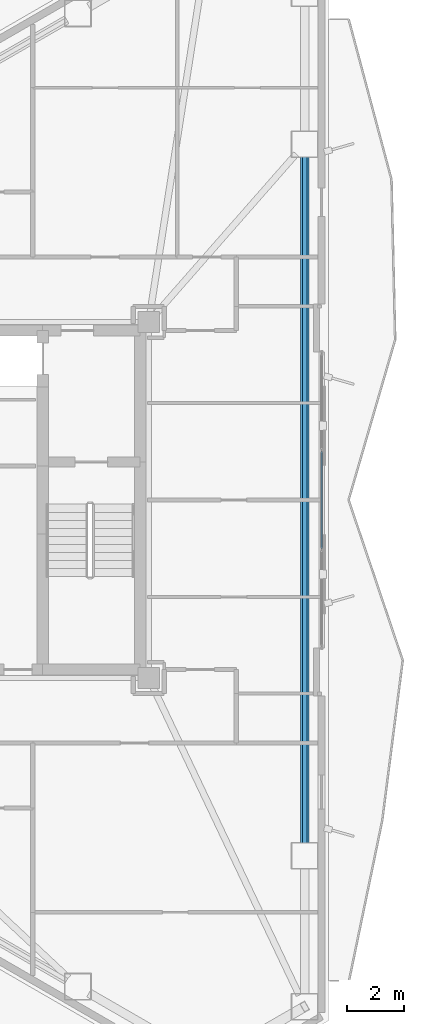
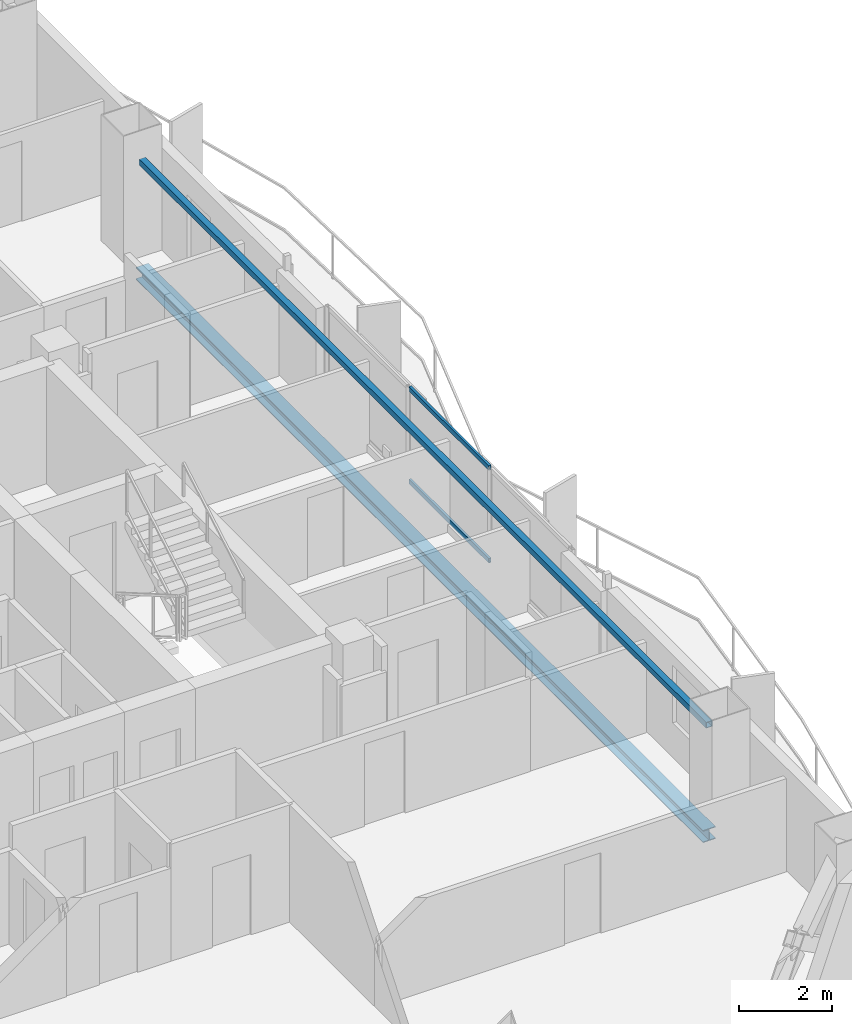
# One storey, part 8 of 18: 2 beams, 2 members, 1 element without a shape of its own.
"""IFC4 building model written with IfcOpenShell, lengths in metres."""

from ifc_helpers import new_model, si_unit, direction, frame, origin, origin_2d, place, context, subcontext, project, spatial, hollow_rectangle, i_section, extrude, material, layer, layer_set, material_profile, profile_set, type_object, element, aggregate, save


model = new_model("IFC4")

# Units and contexts
model_context = context("Model", 3, precision=1e-05, world=origin(), true_north=direction((0.0, 1.0)))
body_context = subcontext(model_context, "Body", "Model", "MODEL_VIEW")
ifc_project = project(units=[si_unit("LENGTHUNIT", "METRE"), si_unit("AREAUNIT", "SQUARE_METRE"), si_unit("VOLUMEUNIT", "CUBIC_METRE"), si_unit("PLANEANGLEUNIT", "RADIAN"), si_unit("MASSUNIT", "GRAM", prefix="KILO")], contexts=[model_context])

# Site, building, storey
site_placement = place(None, origin())
site = spatial("IfcSite", under=ifc_project, at=site_placement, CompositionType="ELEMENT")
building_placement = place(site_placement, origin())
building = spatial("IfcBuilding", under=site, at=building_placement, Name="Mersakhor Tower and Convention Hall", CompositionType="ELEMENT")
storey_placement = place(building_placement, frame((0.0, 0.0, 154.199951171875)))
storey = spatial("IfcBuildingStorey", under=building, at=storey_placement, Name="L43", CompositionType="ELEMENT", Elevation=154.199951171875)

# Beams
ifc_material_1 = material(Name="Steel S355", Category="steel")
ifc_material_profile_1 = material_profile(ifc_material_1, hollow_rectangle(XDim=0.14990234375, YDim=0.14990234375, WallThickness=0.010009765625, at=origin_2d()), Name="SHS 150x150x10")
ifc_profile_set_1 = profile_set([ifc_material_profile_1], Name="Steel S355")
beam_type_1 = type_object("IfcBeamType", Name="BM-GRT-SHS150", PredefinedType="USERDEFINED", material=ifc_profile_set_1)
beam_1_placement = place(storey_placement, frame((41.619140625, 38.8837890625, 2.47998046875), z_axis=(0.0, -1.0, 0.0), x_axis=(1.0, 0.0, 0.0)))
element("IfcBeam", 1, at=beam_1_placement, inside=storey, type_object=beam_type_1, Name="L43 Facade Support Girt GRT-F2", ObjectType="GIRT", PredefinedType="USERDEFINED", context=body_context, shape_type="SweptSolid", body=[
    extrude(hollow_rectangle(XDim=0.14990234375, YDim=0.14990234375, WallThickness=0.010009765625, at=origin_2d()), origin(), (0.0, 0.0, 1.0), 24.267578125),
])
ifc_material_2 = material(Name="Steel S355", Category="steel")
ifc_material_profile_2 = material_profile(ifc_material_2, i_section(OverallWidth=0.30908203125, OverallDepth=0.320556640625, WebThickness=0.013916015625, FlangeThickness=0.021728515625, at=origin_2d()), Name="UC 305x305x137")
ifc_profile_set_2 = profile_set([ifc_material_profile_2], Name="Steel S355")
beam_type_2 = type_object("IfcBeamType", Name="BM-SPD-UC305", PredefinedType="SPANDREL", material=ifc_profile_set_2)
beam_2_placement = place(storey_placement, frame((41.619140625, 38.8837890625, -0.400146484375), z_axis=(0.0, -1.0, 0.0), x_axis=(1.0, 0.0, 0.0)))
element("IfcBeam", 2, at=beam_2_placement, inside=storey, type_object=beam_type_2, Name="L43 Perimeter Spandrel Beam SPB-06", PredefinedType="SPANDREL", context=body_context, shape_type="SweptSolid", body=[
    extrude(i_section(OverallWidth=0.30908203125, OverallDepth=0.320556640625, WebThickness=0.013916015625, FlangeThickness=0.021728515625, at=origin_2d()), origin(), (0.0, 0.0, 1.0), 24.267578125),
])

# Curtain wall, members
ifc_material_3 = material(Name="Dark solar low-E aluminium curtain wall", Category="aluminium")
ifc_layer = layer(ifc_material_3, 0.169921875)
ifc_layer_set = layer_set([ifc_layer], Name="Dark solar low-E aluminium curtain wall")
curtain_wall_type = type_object("IfcCurtainWallType", Name="CW-SYS-02", PredefinedType="USERDEFINED", material=ifc_layer_set)
curtain_wall_placement = place(storey_placement, origin())
curtain_wall = element("IfcCurtainWall", 3, at=curtain_wall_placement, inside=storey, type_object=curtain_wall_type, Name="L43 Dark-Glass Curtain Wall F2-B2", ObjectType="CURTAIN WALL", PredefinedType="USERDEFINED")
ifc_material_4 = material(Name="Anodised aluminium EN AW-6063 T6", Category="aluminium")
ifc_material_profile_3 = material_profile(ifc_material_4, hollow_rectangle(XDim=0.06005859375, YDim=0.1201171875, WallThickness=0.0048828125, at=origin_2d()), Name="RHS 120x60x5")
ifc_profile_set_3 = profile_set([ifc_material_profile_3], Name="Anodised aluminium EN AW-6063 T6")
member_type = type_object("IfcMemberType", Name="CWT-120x60", PredefinedType="USERDEFINED", material=ifc_profile_set_3)
member_1_placement = place(storey_placement, frame((42.21923828125, 28.460205078125, 0.22998046875), z_axis=(0.0, -1.0, 0.0), x_axis=(1.0, 0.0, 0.0)))
member_1 = element("IfcMember", 4, at=member_1_placement, type_object=member_type, Name="CW-02 transom 2.1", ObjectType="TRANSOM", PredefinedType="USERDEFINED", context=body_context, shape_type="SweptSolid", body=[
    extrude(hollow_rectangle(XDim=0.06005859375, YDim=0.1201171875, WallThickness=0.0048828125, at=origin_2d()), origin(), (0.0, 0.0, 1.0), 3.42041015625),
])
member_2_placement = place(storey_placement, frame((42.21923828125, 28.460205078125, 2.650146484375), z_axis=(0.0, -1.0, 0.0), x_axis=(1.0, 0.0, 0.0)))
member_2 = element("IfcMember", 5, at=member_2_placement, type_object=member_type, Name="CW-02 transom 2.2", ObjectType="TRANSOM", PredefinedType="USERDEFINED", context=body_context, shape_type="SweptSolid", body=[
    extrude(hollow_rectangle(XDim=0.06005859375, YDim=0.1201171875, WallThickness=0.0048828125, at=origin_2d()), origin(), (0.0, 0.0, 1.0), 3.42041015625),
])
aggregate(curtain_wall, [member_1, member_2])

save(model, "model.ifc")
